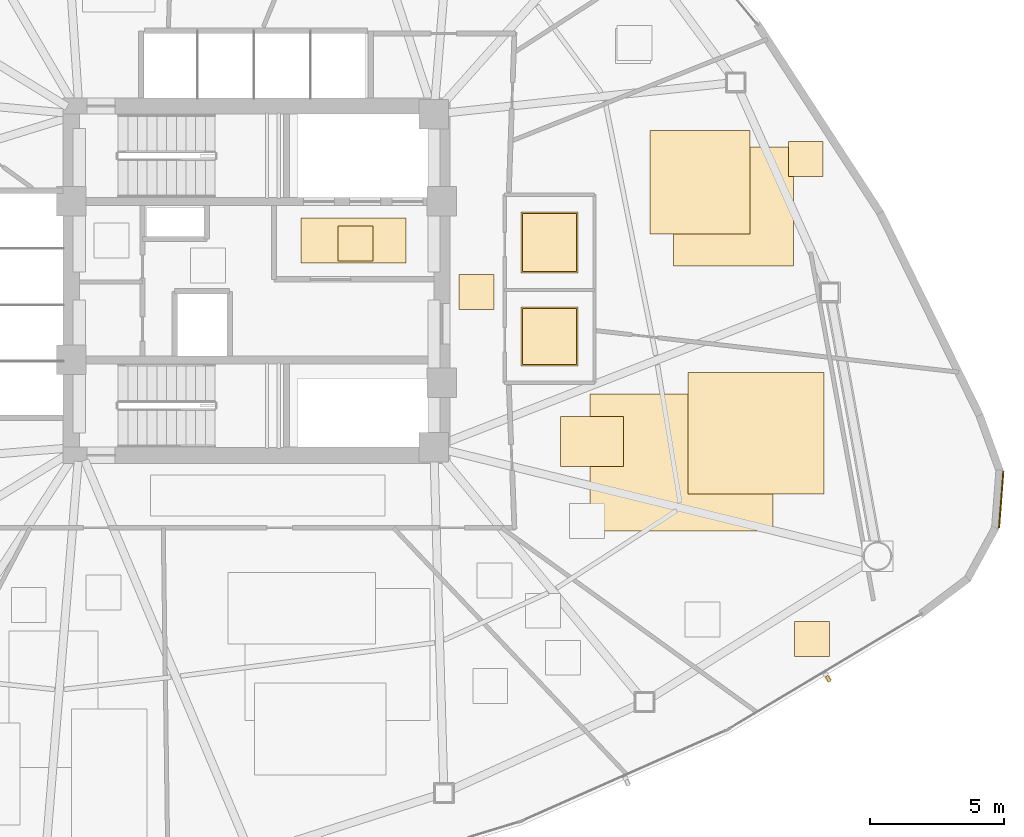
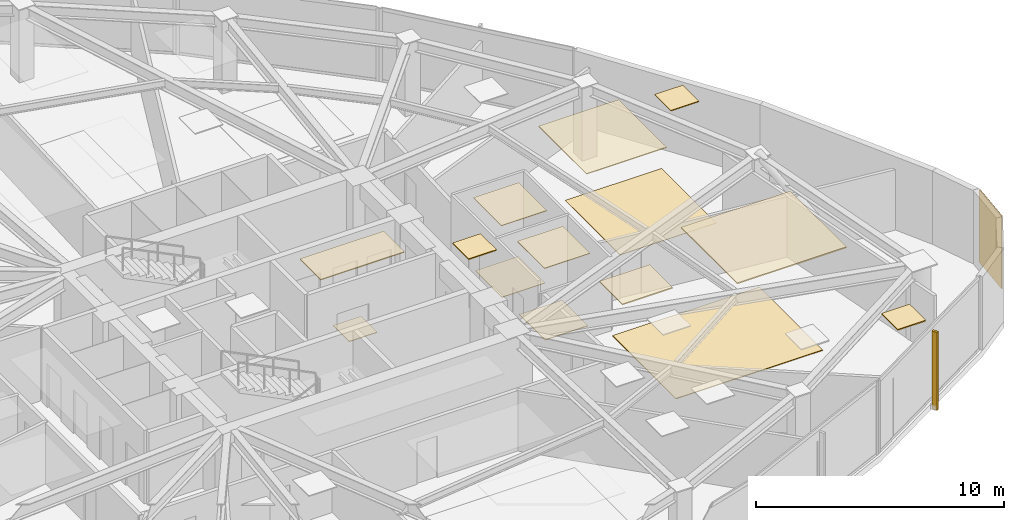
# One storey, part 16 of 17: 15 coverings, 1 shading device.
"""IFC4 building model written with IfcOpenShell, lengths in metres."""

import ifcopenshell
import ifcopenshell.guid

model = None  # the IFC model being written
_history = None  # IfcOwnerHistory: only IFC2X3 demands one
_inside = {}  # id of a spatial element -> (the spatial element, [elements in it])
_under = {}  # id of a project, library or spatial element -> (it, [spatial elements below it])
_declared = {}  # id of a project -> (the project, [libraries it declares])
_typed = {}  # id of a type object -> (the type object, [elements of that type])
_made_of = {}  # id of a material, layer set ... -> (it, [elements and type objects made of it])


def new_model(schema):
    """Start an empty IFC model of exactly this schema.

    Asked for "IFC4X3", IfcOpenShell would pick the latest addendum, in which some entities
    have other attributes; the version numbers below select the first issue.
    IFC2X3 requires an IfcOwnerHistory on every rooted entity: one is made here for all.
    """
    global model, _history
    if schema == "IFC4X3":
        model = ifcopenshell.file(schema_version=(4, 3, 0, 0))
    else:
        model = ifcopenshell.file(schema=schema)
    _inside.clear()
    _under.clear()
    _declared.clear()
    _typed.clear()
    _made_of.clear()
    _history = None
    if model.schema == "IFC2X3":
        org = make("IfcOrganization", Name="unknown")
        user = make(
            "IfcPersonAndOrganization",
            ThePerson=make("IfcPerson", FamilyName="unknown"),
            TheOrganization=org,
        )
        app = make(
            "IfcApplication",
            ApplicationDeveloper=org,
            Version="unknown",
            ApplicationFullName="unknown",
            ApplicationIdentifier="unknown",
        )
        _history = make(
            "IfcOwnerHistory",
            OwningUser=user,
            OwningApplication=app,
            ChangeAction="ADDED",
            CreationDate=0,
        )
    return model


def make(cls, **values):
    """One entity of the class cls with the attributes given. An attribute that is None is left unset."""
    return model.create_entity(
        cls, **{name: value for name, value in values.items() if value is not None}
    )


def rooted(cls, **values):
    """An entity with a GlobalId (a new one), such as an element, a storey or a relation."""
    return make(cls, GlobalId=ifcopenshell.guid.new(), OwnerHistory=_history, **values)


def si_unit(unit_type, name, prefix=None):
    """IfcSIUnit, for example si_unit("LENGTHUNIT", "METRE", prefix="MILLI")."""
    return make("IfcSIUnit", UnitType=unit_type, Prefix=prefix, Name=name)


def assignment(units):
    """IfcUnitAssignment: the units of a project."""
    return None if units is None else make("IfcUnitAssignment", Units=units)


def point(xyz):
    """IfcCartesianPoint."""
    return None if xyz is None else make("IfcCartesianPoint", Coordinates=xyz)


def direction(xyz):
    """IfcDirection."""
    return None if xyz is None else make("IfcDirection", DirectionRatios=xyz)


def frame(location, z_axis=None, x_axis=None):
    """IfcAxis2Placement3D, a coordinate frame: its origin and axes. An axis left out is left unset."""
    return make(
        "IfcAxis2Placement3D",
        Location=point(location),
        Axis=direction(z_axis),
        RefDirection=direction(x_axis),
    )


def frame_2d(location, x_axis=None):
    """IfcAxis2Placement2D, a coordinate frame in the plane: its origin and x axis."""
    return make(
        "IfcAxis2Placement2D", Location=point(location), RefDirection=direction(x_axis)
    )


def origin():
    """The frame at (0, 0, 0) with its axes left unset."""
    return frame((0.0, 0.0, 0.0))


def origin_2d():
    """The frame at (0, 0) in the plane with its x axis left unset."""
    return frame_2d((0.0, 0.0))


def place(relative_to, where):
    """IfcLocalPlacement: puts the frame where relative to a parent placement (None: the world)."""
    return make(
        "IfcLocalPlacement", PlacementRelTo=relative_to, RelativePlacement=where
    )


def context(
    kind, dimensions, precision=None, world=None, true_north=None, identifier=None
):
    """IfcGeometricRepresentationContext, for example the 3D "Model" context."""
    return make(
        "IfcGeometricRepresentationContext",
        ContextIdentifier=identifier,
        ContextType=kind,
        CoordinateSpaceDimension=dimensions,
        Precision=precision,
        WorldCoordinateSystem=world,
        TrueNorth=true_north,
    )


def subcontext(parent, identifier, kind, view, scale=None):
    """IfcGeometricRepresentationSubContext, for example "Body" below "Model"."""
    return make(
        "IfcGeometricRepresentationSubContext",
        ContextIdentifier=identifier,
        ContextType=kind,
        ParentContext=parent,
        TargetScale=scale,
        TargetView=view,
    )


def project(units=None, contexts=None):
    """IfcProject with its units and contexts."""
    return rooted(
        "IfcProject",
        Name="project",
        RepresentationContexts=contexts,
        UnitsInContext=assignment(units),
    )


def spatial(cls, under=None, at=None, **own):
    """A site, building, storey or space (cls), placed at a placement, below another one or the project."""
    s = rooted(cls, ObjectPlacement=at, **own)
    if under is not None:
        _under.setdefault(under.id(), (under, []))[1].append(s)
    return s


def polyline(points):
    """IfcPolyline through the points."""
    return make("IfcPolyline", Points=[point(p) for p in points])


def profile(cls, at=None, kind="AREA", **sizes):
    """A parametric profile (cls). Its sizes go by their IFC names, for example OverallWidth=200.0."""
    return make(cls, ProfileType=kind, Position=at, **sizes)


def rectangle(**sizes):
    """IfcRectangleProfileDef."""
    return profile("IfcRectangleProfileDef", **sizes)


def outline(outer, holes=None, kind="AREA"):
    """IfcArbitraryClosedProfileDef: a profile drawn as a closed curve; with holes, ...WithVoids."""
    if holes is None:
        return make("IfcArbitraryClosedProfileDef", ProfileType=kind, OuterCurve=outer)
    return make(
        "IfcArbitraryProfileDefWithVoids",
        ProfileType=kind,
        OuterCurve=outer,
        InnerCurves=holes,
    )


def extrude(swept, where, along, depth):
    """IfcExtrudedAreaSolid: the profile swept, set in the frame where, extruded along a direction by depth."""
    return make(
        "IfcExtrudedAreaSolid",
        SweptArea=swept,
        Position=where,
        ExtrudedDirection=direction(along),
        Depth=depth,
    )


def shape(context_of_items, identifier, shape_type, items):
    """IfcShapeRepresentation: the items that make up one representation, for example the "Body"."""
    return make(
        "IfcShapeRepresentation",
        ContextOfItems=context_of_items,
        RepresentationIdentifier=identifier,
        RepresentationType=shape_type,
        Items=items,
    )


def source(mapping_origin, context_of_items, identifier, shape_type, items):
    """IfcRepresentationMap: a shape defined once, which mapped items show again and again."""
    return make(
        "IfcRepresentationMap",
        MappingOrigin=mapping_origin,
        MappedRepresentation=shape(context_of_items, identifier, shape_type, items),
    )


def transform(
    local_origin,
    x_axis=None,
    y_axis=None,
    z_axis=None,
    scale=None,
    scale2=None,
    scale3=None,
    uniform=True,
):
    """IfcCartesianTransformationOperator3D, or its non-uniform kind. x_axis, y_axis, z_axis: its Axis1, 2, 3."""
    if uniform:
        return make(
            "IfcCartesianTransformationOperator3D",
            Axis1=direction(x_axis),
            Axis2=direction(y_axis),
            LocalOrigin=point(local_origin),
            Scale=scale,
            Axis3=direction(z_axis),
        )
    return make(
        "IfcCartesianTransformationOperator3DnonUniform",
        Axis1=direction(x_axis),
        Axis2=direction(y_axis),
        LocalOrigin=point(local_origin),
        Scale=scale,
        Axis3=direction(z_axis),
        Scale2=scale2,
        Scale3=scale3,
    )


def mapped(mapping_source, mapping_target):
    """IfcMappedItem: shows the shape of a source again, moved by a transform."""
    return make(
        "IfcMappedItem", MappingSource=mapping_source, MappingTarget=mapping_target
    )


def material(Name=None, Category=None):
    """IfcMaterial."""
    return make("IfcMaterial", Name=Name, Category=Category)


def layer(
    of_material, thickness, ventilated=None, Name=None, Category=None, Priority=None
):
    """IfcMaterialLayer: one layer of a wall or slab, of a material (None: an air gap)."""
    return make(
        "IfcMaterialLayer",
        Material=of_material,
        LayerThickness=thickness,
        IsVentilated=ventilated,
        Name=Name,
        Category=Category,
        Priority=Priority,
    )


def layer_set(layers, Name=None):
    """IfcMaterialLayerSet."""
    return make("IfcMaterialLayerSet", MaterialLayers=layers, LayerSetName=Name)


def made_of(thing, what):
    """Note that an element or type object is made of a material, layer set ...; save() writes the relation."""
    if what is not None:
        _made_of.setdefault(what.id(), (what, []))[1].append(thing)
    return thing


def type_object(cls, material=None, **own):
    """A type object (cls), such as IfcWallType, which elements share."""
    return made_of(rooted(cls, **own), material)


def type_shapes(of_type, sources):
    """Give a type object the sources (RepresentationMaps) that its elements show as mapped items."""
    of_type.RepresentationMaps = sources


def element(
    cls,
    number,
    at=None,
    inside=None,
    cuts=None,
    type_object=None,
    material=None,
    context=None,
    identifier="Body",
    shape_type=None,
    held_by="IfcProductDefinitionShape",
    body=None,
    shapes=None,
    **own,
):
    """One element of the class cls, such as IfcWall. Its Tag is "e" and its number.

    at: its placement. inside: the storey or other place that contains it. cuts: it is an
    opening in that element (IfcRelVoidsElement). A single representation is given by context,
    identifier, shape_type and body (its items); several are given by shapes. held_by: the class
    of the entity that holds the representations. save() writes the other relations.
    """
    e = rooted(cls, Tag="e%d" % number, ObjectPlacement=at, **own)
    if body is not None:
        shapes = [shape(context, identifier, shape_type, body)]
    if shapes is not None:
        e.Representation = make(held_by, Representations=shapes)
    if inside is not None:
        _inside.setdefault(inside.id(), (inside, []))[1].append(e)
    if cuts is not None:
        rooted(
            "IfcRelVoidsElement", RelatingBuildingElement=cuts, RelatedOpeningElement=e
        )
    if type_object is not None:
        _typed.setdefault(type_object.id(), (type_object, []))[1].append(e)
    return made_of(e, material)


def aggregate(whole, parts):
    """IfcRelAggregates: a whole, such as a stair, and the parts it consists of."""
    return rooted("IfcRelAggregates", RelatingObject=whole, RelatedObjects=parts)


def save(model, path):
    """Write the relations noted so far, then the file.

    IfcRelAggregates (storeys below a building ...), IfcRelContainedInSpatialStructure (elements
    in a storey), IfcRelDefinesByType, IfcRelAssociatesMaterial and IfcRelDeclares: one each for
    every whole, place, type object, material and project.
    """
    for whole, parts in _under.values():
        aggregate(whole, parts)
    for where, things in _inside.values():
        rooted(
            "IfcRelContainedInSpatialStructure",
            RelatedElements=things,
            RelatingStructure=where,
        )
    for kind, things in _typed.values():
        rooted("IfcRelDefinesByType", RelatedObjects=things, RelatingType=kind)
    for what, things in _made_of.values():
        rooted("IfcRelAssociatesMaterial", RelatedObjects=things, RelatingMaterial=what)
    for by, libraries in _declared.values():
        rooted("IfcRelDeclares", RelatingContext=by, RelatedDefinitions=libraries)
    model.write(path)


model = new_model("IFC4")

# Units and contexts
model_context = context("Model", 3, precision=1e-05, world=origin(), true_north=direction((0.0, 1.0)))
body_context = subcontext(model_context, "Body", "Model", "MODEL_VIEW")
ifc_project = project(units=[si_unit("LENGTHUNIT", "METRE"), si_unit("AREAUNIT", "SQUARE_METRE"), si_unit("VOLUMEUNIT", "CUBIC_METRE"), si_unit("PLANEANGLEUNIT", "RADIAN"), si_unit("MASSUNIT", "GRAM", prefix="KILO")], contexts=[model_context])

# Site, building, storey
site_placement = place(None, origin())
site = spatial("IfcSite", under=ifc_project, at=site_placement, CompositionType="ELEMENT")
building_placement = place(site_placement, origin())
building = spatial("IfcBuilding", under=site, at=building_placement, Name="Tavelor Broadcast Tower", CompositionType="ELEMENT")
storey_placement = place(building_placement, frame((0.0, 0.0, 82.199951171875)))
storey = spatial("IfcBuildingStorey", under=building, at=storey_placement, Name="L19", CompositionType="ELEMENT", Elevation=82.199951171875)

# Coverings
ifc_material_1 = material(Name="Copper-Bronze Anodized Aluminium", Category="aluminium")
ifc_layer_1 = layer(ifc_material_1, 0.044921875)
ifc_layer_set_1 = layer_set([ifc_layer_1], Name="Copper-Bronze Anodized Aluminium")
covering_type_1 = type_object("IfcCoveringType", Name="Anodised Bronze Linear Slatted Concourse Ceiling 45 mm", PredefinedType="CEILING", material=ifc_layer_set_1)
covering_1_placement = place(storey_placement, frame((0.0, 0.0, 3.554931640625)))
element("IfcCovering", 1, at=covering_1_placement, inside=storey, type_object=covering_type_1, Name="L19 Suspended Acoustic Ceiling 0780", PredefinedType="CEILING", context=body_context, shape_type="SweptSolid", body=[
    extrude(outline(polyline([(51.659912109375, 45.654296875), (55.55712890625, 45.654296875), (55.55712890625, 47.331787109375), (51.659912109375, 47.331787109375), (51.659912109375, 45.654296875)])), origin(), (0.0, 0.0, 1.0), 0.045166015625),
])
covering_2_placement = place(storey_placement, frame((0.0, 0.0, 3.554931640625)))
element("IfcCovering", 2, at=covering_2_placement, inside=storey, type_object=covering_type_1, Name="L19 Suspended Acoustic Ceiling 0783", PredefinedType="CEILING", context=body_context, shape_type="SweptSolid", body=[
    extrude(outline(polyline([(57.5400390625, 43.925048828125), (58.840087890625, 43.925048828125), (58.840087890625, 45.22509765625), (57.5400390625, 45.22509765625), (57.5400390625, 43.925048828125)])), origin(), (0.0, 0.0, 1.0), 0.045166015625),
])
ifc_layer_2 = layer(ifc_material_1, 0.050048828125)
ifc_layer_set_2 = layer_set([ifc_layer_2], Name="Copper-Bronze Anodized Aluminium")
covering_type_2 = type_object("IfcCoveringType", Name="Champagne-Bronze Corner Pier Metal Cladding 50 mm", PredefinedType="CLADDING", material=ifc_layer_set_2)
covering_3_placement = place(storey_placement, frame((77.723388671875, 36.8486328125, 0.02001953125), z_axis=(0.0, 0.0, 1.0), x_axis=(0.075848906358, 0.997119322551, 0.0)))
element("IfcCovering", 3, at=covering_3_placement, inside=storey, type_object=covering_type_2, Name="L19 Champagne-Bronze Corner Cladding 23", PredefinedType="CLADDING", context=body_context, shape_type="SweptSolid", body=[
    extrude(rectangle(XDim=2.11083984375, YDim=0.050048828125, at=origin_2d()), origin(), (0.0, 0.0, 1.0), 3.56005859375),
])
ifc_material_2 = material(Name="Acoustic Nylon Carpet Tile")
ifc_layer_3 = layer(ifc_material_2, 0.02001953125)
ifc_layer_set_3 = layer_set([ifc_layer_3], Name="Acoustic Nylon Carpet Tile")
covering_type_3 = type_object("IfcCoveringType", Name="Heavy-Duty Acoustic Broadcast Carpet Tile 20 mm", PredefinedType="FLOORING", material=ifc_layer_set_3)
covering_4_placement = place(storey_placement, origin())
element("IfcCovering", 4, at=covering_4_placement, inside=storey, type_object=covering_type_3, Name="L19 Broadcast Floor Finish 0286", PredefinedType="FLOORING", context=body_context, shape_type="SweptSolid", body=[
    extrude(outline(polyline([(65.518310546875, 45.54931640625), (69.994873046875, 45.54931640625), (69.994873046875, 49.969482421875), (65.518310546875, 49.969482421875), (65.518310546875, 45.54931640625)])), origin(), (0.0, 0.0, 1.0), 0.02001953125),
])
ifc_material_3 = material(Name="Honed Natural Limestone Tile", Category="masonry")
ifc_layer_4 = layer(ifc_material_3, 0.030029296875)
ifc_layer_set_4 = layer_set([ifc_layer_4], Name="Honed Natural Limestone Tile")
covering_type_4 = type_object("IfcCoveringType", Name="Honed Jerusalem Limestone Concourse Flooring 30 mm", PredefinedType="FLOORING", material=ifc_layer_set_4)
covering_5_placement = place(storey_placement, origin())
element("IfcCovering", 5, at=covering_5_placement, inside=storey, type_object=covering_type_4, Name="L19 Broadcast Floor Finish 0271", PredefinedType="FLOORING", context=body_context, shape_type="SweptSolid", body=[
    extrude(outline(polyline([(53.030029296875, 45.728515625), (54.330078125, 45.728515625), (54.330078125, 47.028564453125), (53.030029296875, 47.028564453125), (53.030029296875, 45.728515625)])), origin(), (0.0, 0.0, 1.0), 0.030029296875),
])
ifc_material_4 = material(Name="Acoustic Hardwood Studio Flooring", Category="wood")
ifc_layer_5 = layer(ifc_material_4, 0.034912109375)
ifc_layer_set_5 = layer_set([ifc_layer_5], Name="Acoustic Hardwood Studio Flooring")
covering_type_5 = type_object("IfcCoveringType", Name="Isolated Studio Acoustic Elastomeric Floor Finish 35 mm", PredefinedType="FLOORING", material=ifc_layer_set_5)
covering_6_placement = place(storey_placement, origin())
element("IfcCovering", 6, at=covering_6_placement, inside=storey, type_object=covering_type_5, Name="L19 Broadcast Floor Finish 0287", PredefinedType="FLOORING", context=body_context, shape_type="SweptSolid", body=[
    extrude(outline(polyline([(62.410888671875, 35.677001953125), (69.23681640625, 35.677001953125), (69.23681640625, 40.78076171875), (62.410888671875, 40.78076171875), (62.410888671875, 35.677001953125)])), origin(), (0.0, 0.0, 1.0), 0.03515625),
])
ifc_material_5 = material(Name="Acoustic Perforated Timber Baffle", Category="wood")
ifc_layer_6 = layer(ifc_material_5, 0.054931640625)
ifc_layer_set_6 = layer_set([ifc_layer_6], Name="Acoustic Perforated Timber Baffle")
covering_type_6 = type_object("IfcCoveringType", Name="Micro-Perforated Acoustic Baffle Studio Ceiling 55 mm", PredefinedType="CEILING", material=ifc_layer_set_6)
covering_7_placement = place(storey_placement, frame((0.0, 0.0, 3.545166015625)))
element("IfcCovering", 7, at=covering_7_placement, inside=storey, type_object=covering_type_6, Name="L19 Suspended Acoustic Ceiling 0822", PredefinedType="CEILING", context=body_context, shape_type="SweptSolid", body=[
    extrude(outline(polyline([(61.310791015625, 38.085205078125), (63.65673828125, 38.085205078125), (63.65673828125, 39.940185546875), (61.310791015625, 39.940185546875), (61.310791015625, 38.085205078125)])), origin(), (0.0, 0.0, 1.0), 0.054931640625),
])
covering_8_placement = place(storey_placement, frame((0.0, 0.0, 3.545166015625)))
element("IfcCovering", 8, at=covering_8_placement, inside=storey, type_object=covering_type_6, Name="L19 Suspended Acoustic Ceiling 0823", PredefinedType="CEILING", context=body_context, shape_type="SweptSolid", body=[
    extrude(outline(polyline([(66.0576171875, 37.052978515625), (71.1337890625, 37.052978515625), (71.1337890625, 41.576904296875), (66.0576171875, 41.576904296875), (66.0576171875, 37.052978515625)])), origin(), (0.0, 0.0, 1.0), 0.054931640625),
])
covering_9_placement = place(storey_placement, frame((0.0, 0.0, 3.545166015625)))
element("IfcCovering", 9, at=covering_9_placement, inside=storey, type_object=covering_type_6, Name="L19 Suspended Acoustic Ceiling 0825", PredefinedType="CEILING", context=body_context, shape_type="SweptSolid", body=[
    extrude(outline(polyline([(70.023193359375, 31.001953125), (71.3232421875, 31.001953125), (71.3232421875, 32.302001953125), (70.023193359375, 32.302001953125), (70.023193359375, 31.001953125)])), origin(), (0.0, 0.0, 1.0), 0.054931640625),
])
ifc_material_6 = material(Name="Architectural Anodized Aluminium", Category="aluminium")
ifc_layer_7 = layer(ifc_material_6, 0.030029296875)
ifc_layer_set_7 = layer_set([ifc_layer_7], Name="Architectural Anodized Aluminium")
covering_type_7 = type_object("IfcCoveringType", Name="Moisture-Resistant Washroom Ceiling 30 mm", PredefinedType="CEILING", material=ifc_layer_set_7)
covering_10_placement = place(storey_placement, frame((0.0, 0.0, 3.570068359375)))
element("IfcCovering", 10, at=covering_10_placement, inside=storey, type_object=covering_type_7, Name="L19 Suspended Acoustic Ceiling 0786", PredefinedType="CEILING", context=body_context, shape_type="SweptSolid", body=[
    extrude(outline(polyline([(59.85302734375, 41.828369140625), (61.967041015625, 41.828369140625), (61.967041015625, 44.021484375), (59.85302734375, 44.021484375), (59.85302734375, 41.828369140625)])), origin(), (0.0, 0.0, 1.0), 0.030029296875),
])
covering_11_placement = place(storey_placement, frame((0.0, 0.0, 3.570068359375)))
element("IfcCovering", 11, at=covering_11_placement, inside=storey, type_object=covering_type_7, Name="L19 Suspended Acoustic Ceiling 0787", PredefinedType="CEILING", context=body_context, shape_type="SweptSolid", body=[
    extrude(outline(polyline([(59.85302734375, 45.29248046875), (61.967041015625, 45.29248046875), (61.967041015625, 47.5576171875), (59.85302734375, 47.5576171875), (59.85302734375, 45.29248046875)])), origin(), (0.0, 0.0, 1.0), 0.030029296875),
])
ifc_material_7 = material(Name="Slip-Resistant Porcelain Tile")
ifc_layer_8 = layer(ifc_material_7, 0.02490234375)
ifc_layer_set_8 = layer_set([ifc_layer_8], Name="Slip-Resistant Porcelain Tile")
covering_type_8 = type_object("IfcCoveringType", Name="Slip-Resistant Porcelain Wet-Area Floor Tile 25 mm", PredefinedType="FLOORING", material=ifc_layer_set_8)
covering_12_placement = place(storey_placement, origin())
element("IfcCovering", 12, at=covering_12_placement, inside=storey, type_object=covering_type_8, Name="L19 Broadcast Floor Finish 0273", PredefinedType="FLOORING", context=body_context, shape_type="SweptSolid", body=[
    extrude(outline(polyline([(59.91064453125, 41.885986328125), (61.909423828125, 41.885986328125), (61.909423828125, 43.964111328125), (59.91064453125, 43.964111328125), (59.91064453125, 41.885986328125)])), origin(), (0.0, 0.0, 1.0), 0.025146484375),
])
covering_13_placement = place(storey_placement, origin())
element("IfcCovering", 13, at=covering_13_placement, inside=storey, type_object=covering_type_8, Name="L19 Broadcast Floor Finish 0274", PredefinedType="FLOORING", context=body_context, shape_type="SweptSolid", body=[
    extrude(outline(polyline([(59.91064453125, 45.35009765625), (61.909423828125, 45.35009765625), (61.909423828125, 47.5), (59.91064453125, 47.5), (59.91064453125, 45.35009765625)])), origin(), (0.0, 0.0, 1.0), 0.025146484375),
])
ifc_material_8 = material(Name="Acoustic Mineral Fibre Tile")
ifc_layer_9 = layer(ifc_material_8, 0.0400390625)
ifc_layer_set_9 = layer_set([ifc_layer_9], Name="Acoustic Mineral Fibre Tile")
covering_type_9 = type_object("IfcCoveringType", Name="Suspended Acoustic Mineral-Fibre Office Ceiling 40 mm", PredefinedType="CEILING", material=ifc_layer_set_9)
covering_14_placement = place(storey_placement, frame((0.0, 0.0, 3.56005859375)))
element("IfcCovering", 14, at=covering_14_placement, inside=storey, type_object=covering_type_9, Name="L19 Suspended Acoustic Ceiling 0820", PredefinedType="CEILING", context=body_context, shape_type="SweptSolid", body=[
    extrude(outline(polyline([(64.639404296875, 46.7333984375), (68.3623046875, 46.7333984375), (68.3623046875, 50.595947265625), (64.639404296875, 50.595947265625), (64.639404296875, 46.7333984375)])), origin(), (0.0, 0.0, 1.0), 0.0400390625),
])
covering_15_placement = place(storey_placement, frame((0.0, 0.0, 3.56005859375)))
element("IfcCovering", 15, at=covering_15_placement, inside=storey, type_object=covering_type_9, Name="L19 Suspended Acoustic Ceiling 0821", PredefinedType="CEILING", context=body_context, shape_type="SweptSolid", body=[
    extrude(outline(polyline([(69.798583984375, 48.879150390625), (71.0986328125, 48.879150390625), (71.0986328125, 50.17919921875), (69.798583984375, 50.17919921875), (69.798583984375, 48.879150390625)])), origin(), (0.0, 0.0, 1.0), 0.0400390625),
])

# Shading device
ifc_material_9 = material(Name="Kiln-Fired Glazed Terracotta", Category="masonry")
shading_device_type = type_object("IfcShadingDeviceType", Name="Extruded Terracotta Baguette Sun-Screen 110x240", PredefinedType="JALOUSIE", material=ifc_material_9)
shared_shape = source(origin(), body_context, "Body", "SweptSolid", [
    extrude(rectangle(XDim=0.110107421875, YDim=0.239990234375, at=origin_2d()), origin(), (0.0, 0.0, 1.0), 3.840087890625),
])
type_shapes(shading_device_type, [shared_shape])
shading_device_placement = place(storey_placement, frame((71.2861328125, 30.177734375, -0.259765625), z_axis=(0.0, 0.0, 1.0), x_axis=(0.858244113158, 0.513241699622, 0.0)))
element("IfcShadingDevice", 16, at=shading_device_placement, inside=storey, type_object=shading_device_type, Name="L19 Terracotta Baguette Fin 188", PredefinedType="JALOUSIE", context=body_context, shape_type="MappedRepresentation", body=[
    mapped(shared_shape, transform((0.0, 0.0, 0.0), scale=1.0)),
])

save(model, "model.ifc")
